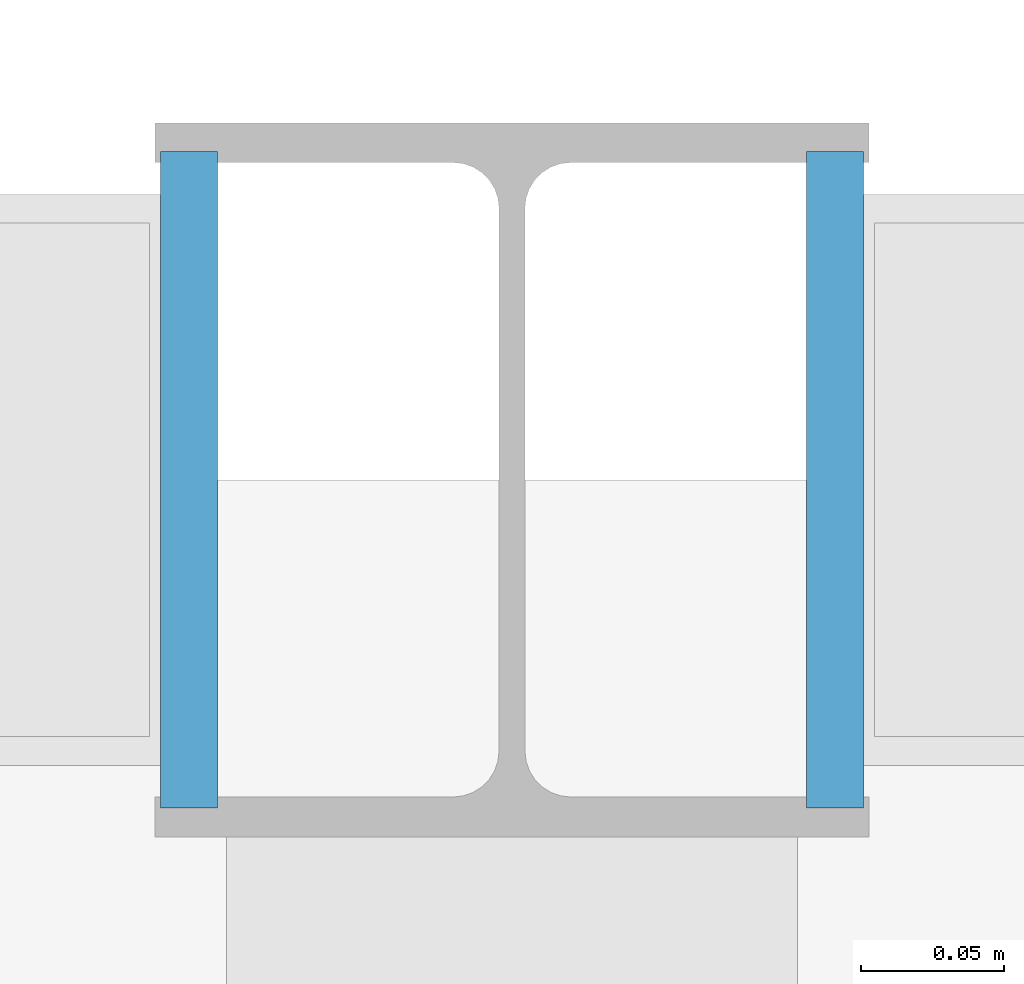
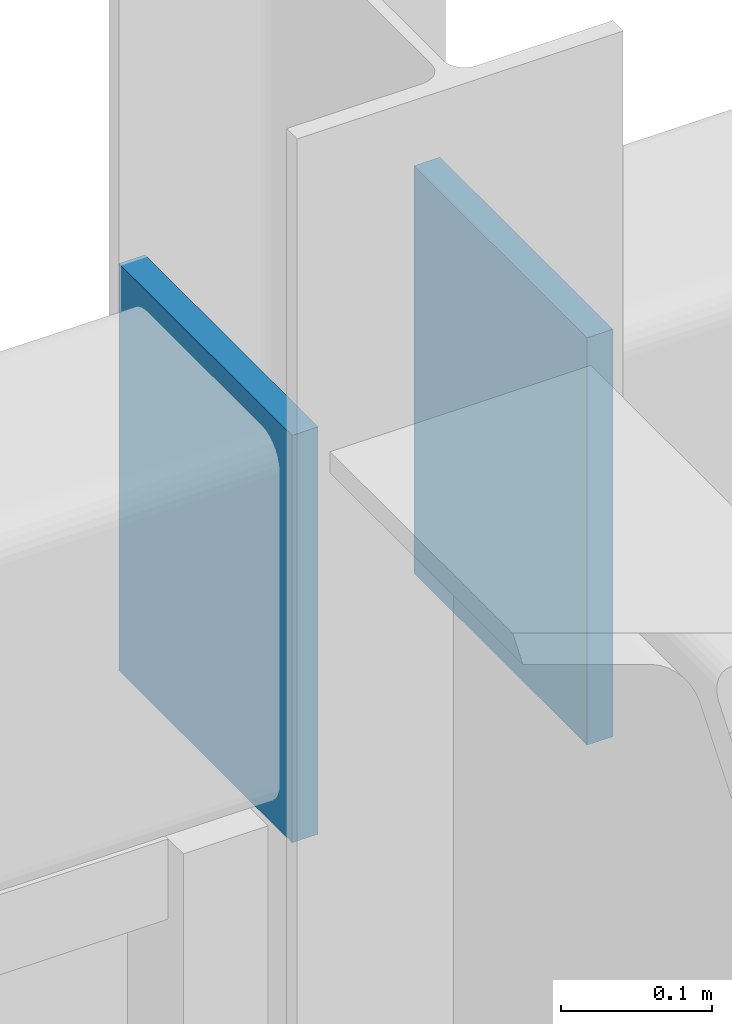
# One storey, part 122 of 184: 2 plates.
"""IFC4 building model written with IfcOpenShell, lengths in metres."""

import ifcopenshell
import ifcopenshell.guid

model = None  # the IFC model being written
_history = None  # IfcOwnerHistory: only IFC2X3 demands one
_inside = {}  # id of a spatial element -> (the spatial element, [elements in it])
_under = {}  # id of a project, library or spatial element -> (it, [spatial elements below it])
_declared = {}  # id of a project -> (the project, [libraries it declares])
_typed = {}  # id of a type object -> (the type object, [elements of that type])
_made_of = {}  # id of a material, layer set ... -> (it, [elements and type objects made of it])


def new_model(schema):
    """Start an empty IFC model of exactly this schema.

    Asked for "IFC4X3", IfcOpenShell would pick the latest addendum, in which some entities
    have other attributes; the version numbers below select the first issue.
    IFC2X3 requires an IfcOwnerHistory on every rooted entity: one is made here for all.
    """
    global model, _history
    if schema == "IFC4X3":
        model = ifcopenshell.file(schema_version=(4, 3, 0, 0))
    else:
        model = ifcopenshell.file(schema=schema)
    _inside.clear()
    _under.clear()
    _declared.clear()
    _typed.clear()
    _made_of.clear()
    _history = None
    if model.schema == "IFC2X3":
        org = make("IfcOrganization", Name="unknown")
        user = make(
            "IfcPersonAndOrganization",
            ThePerson=make("IfcPerson", FamilyName="unknown"),
            TheOrganization=org,
        )
        app = make(
            "IfcApplication",
            ApplicationDeveloper=org,
            Version="unknown",
            ApplicationFullName="unknown",
            ApplicationIdentifier="unknown",
        )
        _history = make(
            "IfcOwnerHistory",
            OwningUser=user,
            OwningApplication=app,
            ChangeAction="ADDED",
            CreationDate=0,
        )
    return model


def make(cls, **values):
    """One entity of the class cls with the attributes given. An attribute that is None is left unset."""
    return model.create_entity(
        cls, **{name: value for name, value in values.items() if value is not None}
    )


def rooted(cls, **values):
    """An entity with a GlobalId (a new one), such as an element, a storey or a relation."""
    return make(cls, GlobalId=ifcopenshell.guid.new(), OwnerHistory=_history, **values)


def si_unit(unit_type, name, prefix=None):
    """IfcSIUnit, for example si_unit("LENGTHUNIT", "METRE", prefix="MILLI")."""
    return make("IfcSIUnit", UnitType=unit_type, Prefix=prefix, Name=name)


def assignment(units):
    """IfcUnitAssignment: the units of a project."""
    return None if units is None else make("IfcUnitAssignment", Units=units)


def point(xyz):
    """IfcCartesianPoint."""
    return None if xyz is None else make("IfcCartesianPoint", Coordinates=xyz)


def direction(xyz):
    """IfcDirection."""
    return None if xyz is None else make("IfcDirection", DirectionRatios=xyz)


def frame(location, z_axis=None, x_axis=None):
    """IfcAxis2Placement3D, a coordinate frame: its origin and axes. An axis left out is left unset."""
    return make(
        "IfcAxis2Placement3D",
        Location=point(location),
        Axis=direction(z_axis),
        RefDirection=direction(x_axis),
    )


def frame_2d(location, x_axis=None):
    """IfcAxis2Placement2D, a coordinate frame in the plane: its origin and x axis."""
    return make(
        "IfcAxis2Placement2D", Location=point(location), RefDirection=direction(x_axis)
    )


def origin():
    """The frame at (0, 0, 0) with its axes left unset."""
    return frame((0.0, 0.0, 0.0))


def origin_2d():
    """The frame at (0, 0) in the plane with its x axis left unset."""
    return frame_2d((0.0, 0.0))


def place(relative_to, where):
    """IfcLocalPlacement: puts the frame where relative to a parent placement (None: the world)."""
    return make(
        "IfcLocalPlacement", PlacementRelTo=relative_to, RelativePlacement=where
    )


def context(
    kind, dimensions, precision=None, world=None, true_north=None, identifier=None
):
    """IfcGeometricRepresentationContext, for example the 3D "Model" context."""
    return make(
        "IfcGeometricRepresentationContext",
        ContextIdentifier=identifier,
        ContextType=kind,
        CoordinateSpaceDimension=dimensions,
        Precision=precision,
        WorldCoordinateSystem=world,
        TrueNorth=true_north,
    )


def subcontext(parent, identifier, kind, view, scale=None):
    """IfcGeometricRepresentationSubContext, for example "Body" below "Model"."""
    return make(
        "IfcGeometricRepresentationSubContext",
        ContextIdentifier=identifier,
        ContextType=kind,
        ParentContext=parent,
        TargetScale=scale,
        TargetView=view,
    )


def project(units=None, contexts=None):
    """IfcProject with its units and contexts."""
    return rooted(
        "IfcProject",
        Name="project",
        RepresentationContexts=contexts,
        UnitsInContext=assignment(units),
    )


def spatial(cls, under=None, at=None, **own):
    """A site, building, storey or space (cls), placed at a placement, below another one or the project."""
    s = rooted(cls, ObjectPlacement=at, **own)
    if under is not None:
        _under.setdefault(under.id(), (under, []))[1].append(s)
    return s


def profile(cls, at=None, kind="AREA", **sizes):
    """A parametric profile (cls). Its sizes go by their IFC names, for example OverallWidth=200.0."""
    return make(cls, ProfileType=kind, Position=at, **sizes)


def rectangle(**sizes):
    """IfcRectangleProfileDef."""
    return profile("IfcRectangleProfileDef", **sizes)


def extrude(swept, where, along, depth):
    """IfcExtrudedAreaSolid: the profile swept, set in the frame where, extruded along a direction by depth."""
    return make(
        "IfcExtrudedAreaSolid",
        SweptArea=swept,
        Position=where,
        ExtrudedDirection=direction(along),
        Depth=depth,
    )


def shape(context_of_items, identifier, shape_type, items):
    """IfcShapeRepresentation: the items that make up one representation, for example the "Body"."""
    return make(
        "IfcShapeRepresentation",
        ContextOfItems=context_of_items,
        RepresentationIdentifier=identifier,
        RepresentationType=shape_type,
        Items=items,
    )


def material(Name=None, Category=None):
    """IfcMaterial."""
    return make("IfcMaterial", Name=Name, Category=Category)


def layer(
    of_material, thickness, ventilated=None, Name=None, Category=None, Priority=None
):
    """IfcMaterialLayer: one layer of a wall or slab, of a material (None: an air gap)."""
    return make(
        "IfcMaterialLayer",
        Material=of_material,
        LayerThickness=thickness,
        IsVentilated=ventilated,
        Name=Name,
        Category=Category,
        Priority=Priority,
    )


def layer_set(layers, Name=None):
    """IfcMaterialLayerSet."""
    return make("IfcMaterialLayerSet", MaterialLayers=layers, LayerSetName=Name)


def made_of(thing, what):
    """Note that an element or type object is made of a material, layer set ...; save() writes the relation."""
    if what is not None:
        _made_of.setdefault(what.id(), (what, []))[1].append(thing)
    return thing


def type_object(cls, material=None, **own):
    """A type object (cls), such as IfcWallType, which elements share."""
    return made_of(rooted(cls, **own), material)


def element(
    cls,
    number,
    at=None,
    inside=None,
    cuts=None,
    type_object=None,
    material=None,
    context=None,
    identifier="Body",
    shape_type=None,
    held_by="IfcProductDefinitionShape",
    body=None,
    shapes=None,
    **own,
):
    """One element of the class cls, such as IfcWall. Its Tag is "e" and its number.

    at: its placement. inside: the storey or other place that contains it. cuts: it is an
    opening in that element (IfcRelVoidsElement). A single representation is given by context,
    identifier, shape_type and body (its items); several are given by shapes. held_by: the class
    of the entity that holds the representations. save() writes the other relations.
    """
    e = rooted(cls, Tag="e%d" % number, ObjectPlacement=at, **own)
    if body is not None:
        shapes = [shape(context, identifier, shape_type, body)]
    if shapes is not None:
        e.Representation = make(held_by, Representations=shapes)
    if inside is not None:
        _inside.setdefault(inside.id(), (inside, []))[1].append(e)
    if cuts is not None:
        rooted(
            "IfcRelVoidsElement", RelatingBuildingElement=cuts, RelatedOpeningElement=e
        )
    if type_object is not None:
        _typed.setdefault(type_object.id(), (type_object, []))[1].append(e)
    return made_of(e, material)


def aggregate(whole, parts):
    """IfcRelAggregates: a whole, such as a stair, and the parts it consists of."""
    return rooted("IfcRelAggregates", RelatingObject=whole, RelatedObjects=parts)


def save(model, path):
    """Write the relations noted so far, then the file.

    IfcRelAggregates (storeys below a building ...), IfcRelContainedInSpatialStructure (elements
    in a storey), IfcRelDefinesByType, IfcRelAssociatesMaterial and IfcRelDeclares: one each for
    every whole, place, type object, material and project.
    """
    for whole, parts in _under.values():
        aggregate(whole, parts)
    for where, things in _inside.values():
        rooted(
            "IfcRelContainedInSpatialStructure",
            RelatedElements=things,
            RelatingStructure=where,
        )
    for kind, things in _typed.values():
        rooted("IfcRelDefinesByType", RelatedObjects=things, RelatingType=kind)
    for what, things in _made_of.values():
        rooted("IfcRelAssociatesMaterial", RelatedObjects=things, RelatingMaterial=what)
    for by, libraries in _declared.values():
        rooted("IfcRelDeclares", RelatingContext=by, RelatedDefinitions=libraries)
    model.write(path)


model = new_model("IFC4")

# Units and contexts
model_context = context("Model", 3, precision=1e-05, world=origin(), true_north=direction((0.0, 1.0)))
body_context = subcontext(model_context, "Body", "Model", "MODEL_VIEW")
ifc_project = project(units=[si_unit("LENGTHUNIT", "METRE"), si_unit("AREAUNIT", "SQUARE_METRE"), si_unit("VOLUMEUNIT", "CUBIC_METRE"), si_unit("PLANEANGLEUNIT", "RADIAN"), si_unit("MASSUNIT", "GRAM", prefix="KILO")], contexts=[model_context])

# Site, building, storey
site_placement = place(None, origin())
site = spatial("IfcSite", under=ifc_project, at=site_placement, CompositionType="ELEMENT")
building_placement = place(site_placement, origin())
building = spatial("IfcBuilding", under=site, at=building_placement, Name="Zhaolan Boulevard Law Courts", CompositionType="ELEMENT")
storey_placement = place(building_placement, frame((0.0, 0.0, 5.39990234375)))
storey = spatial("IfcBuildingStorey", under=building, at=storey_placement, Name="L01", CompositionType="ELEMENT", Elevation=5.39990234375)

# Plates
ifc_material = material(Name="Structural steel Q355B", Category="steel")
ifc_layer = layer(ifc_material, 0.02001953125)
ifc_layer_set = layer_set([ifc_layer])
plate_type = type_object("IfcPlateType", Name="END CAP PLATE 20", PredefinedType="SHEET", material=ifc_layer_set)
for number, where, z_axis, x_axis, name in (
    (1, (91.886962890625, 30.0, 4.822998046875), (0.0, 0.0, 1.0), (1.0, 0.0, 0.0), "Hollow Section End-Cap Plate ECP-0744"),
    (2, (92.113037109375, 30.0, 4.822998046875), (0.0, 0.0, 1.0), (1.0, 0.0, 0.0), "Hollow Section End-Cap Plate ECP-0745"),
):
    element("IfcPlate", number, at=place(storey_placement, frame(where, z_axis=z_axis, x_axis=x_axis)), inside=storey, type_object=plate_type, Name=name, PredefinedType="SHEET", context=body_context, shape_type="SweptSolid", body=[
        extrude(rectangle(XDim=0.02001953125, YDim=0.22998046875, at=origin_2d()), origin(), (0.0, 0.0, 1.0), 0.330078125),
    ])

save(model, "model.ifc")
